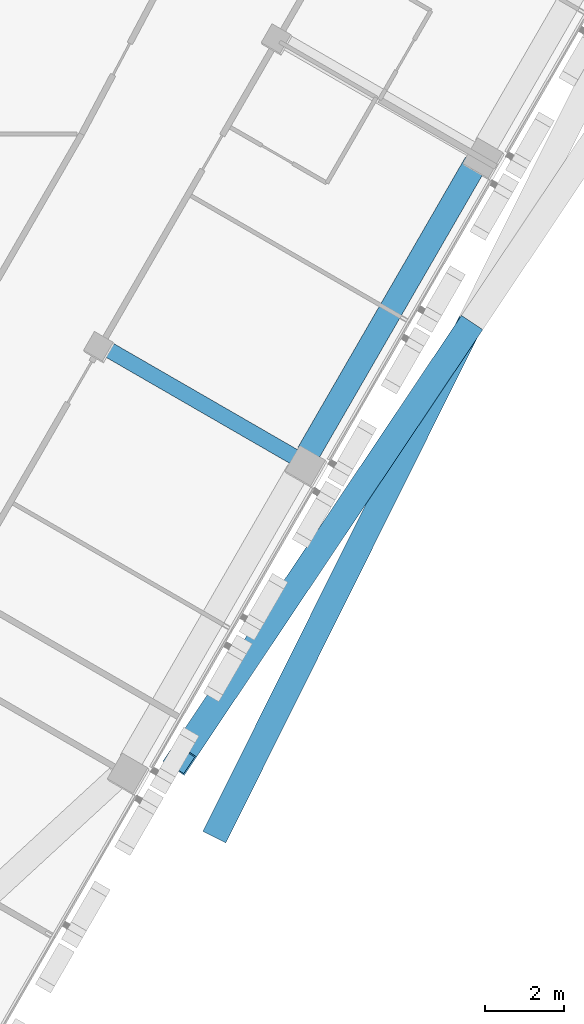
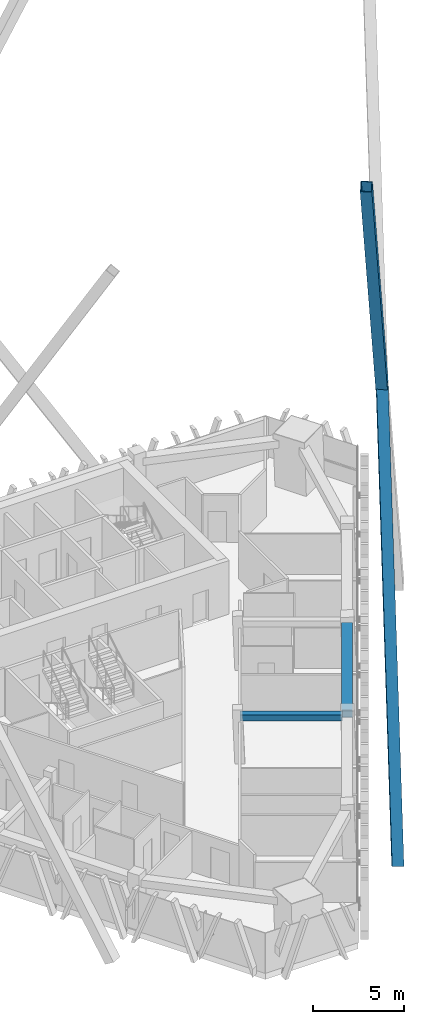
# One storey, part 8 of 22: 2 beams, 2 members.
"""IFC4 building model written with IfcOpenShell, lengths in metres."""

from ifc_helpers import new_model, si_unit, direction, frame, origin, origin_2d, place, context, subcontext, project, spatial, rectangle, hollow_rectangle, extrude, material, material_profile, profile_set, type_object, element, save


model = new_model("IFC4")

# Units and contexts
model_context = context("Model", 3, precision=1e-05, world=origin(), true_north=direction((0.0, 1.0)))
body_context = subcontext(model_context, "Body", "Model", "MODEL_VIEW")
ifc_project = project(units=[si_unit("LENGTHUNIT", "METRE"), si_unit("AREAUNIT", "SQUARE_METRE"), si_unit("VOLUMEUNIT", "CUBIC_METRE"), si_unit("PLANEANGLEUNIT", "RADIAN"), si_unit("MASSUNIT", "GRAM", prefix="KILO")], contexts=[model_context])

# Site, building, storey
site_placement = place(None, origin())
site = spatial("IfcSite", under=ifc_project, at=site_placement, CompositionType="ELEMENT")
building_placement = place(site_placement, origin())
building = spatial("IfcBuilding", under=site, at=building_placement, Name="Altiplano Prism Tower", CompositionType="ELEMENT")
storey_placement = place(building_placement, frame((0.0, 0.0, 219.39990234375)))
storey = spatial("IfcBuildingStorey", under=building, at=storey_placement, Name="L56", CompositionType="ELEMENT", Elevation=219.39990234375)

# Beam
ifc_material_1 = material(Name="Concrete C60/75", Category="concrete")
ifc_material_profile_1 = material_profile(ifc_material_1, rectangle(XDim=0.60009765625, YDim=0.5, at=origin_2d()), Name="Edge beam 600x500")
ifc_profile_set_1 = profile_set([ifc_material_profile_1], Name="Concrete C60/75")
beam_type_1 = type_object("IfcBeamType", Name="Edge beam 600x500", PredefinedType="SPANDREL", material=ifc_profile_set_1)
beam_1_placement = place(storey_placement, frame((96.3193359375, 77.591796875, 2.9501953125), z_axis=(0.49998963237, 0.866031389456, 0.0), x_axis=(-0.866031389456, 0.49998963237, 0.0)))
element("IfcBeam", 1, at=beam_1_placement, inside=storey, type_object=beam_type_1, Name="Edge beam P22-P23 L57", PredefinedType="SPANDREL", context=body_context, shape_type="SweptSolid", body=[
    extrude(rectangle(XDim=0.60009765625, YDim=0.5, at=origin_2d()), origin(), (0.0, 0.0, 1.0), 8.489990234375),
])

# Members
ifc_material_2 = material(Name="Steel S355", Category="steel")
ifc_material_profile_2 = material_profile(ifc_material_2, hollow_rectangle(XDim=0.64990234375, YDim=0.64990234375, WallThickness=0.034912109375, at=origin_2d()), Name="Mega brace Box 650x650x35")
ifc_profile_set_2 = profile_set([ifc_material_profile_2], Name="Steel S355")
member_type = type_object("IfcMemberType", Name="Mega brace Box 650x650x35", PredefinedType="BRACE", material=ifc_profile_set_2)
member_1_placement = place(storey_placement, frame((94.06689453125, 68.11328125, -0.75), z_axis=(0.235724222725, 0.473603112173, 0.848607201809), x_axis=(-0.895240289947, 0.445583688273, 0.0)))
element("IfcMember", 2, at=member_1_placement, inside=storey, type_object=member_type, Name="Mega brace 6.2.1", PredefinedType="BRACE", context=body_context, shape_type="SweptSolid", body=[
    extrude(hollow_rectangle(XDim=0.64990234375, YDim=0.64990234375, WallThickness=0.034912109375, at=origin_2d()), origin(), (0.0, 0.0, 1.0), 26.513916015625),
])
member_2_placement = place(storey_placement, frame((100.31689453125, 80.67041015625, 21.75), z_axis=(-0.278845609489, -0.416362243074, 0.865382925999), x_axis=(0.83087801477, -0.556454602436, 0.0)))
element("IfcMember", 3, at=member_2_placement, inside=storey, type_object=member_type, Name="Mega brace 6.2.4", PredefinedType="BRACE", context=body_context, shape_type="SweptSolid", body=[
    extrude(hollow_rectangle(XDim=0.64990234375, YDim=0.64990234375, WallThickness=0.034912109375, at=origin_2d()), origin(), (0.0, 0.0, 1.0), 26.0),
])

# Beam
ifc_material_profile_3 = material_profile(ifc_material_1, rectangle(XDim=0.39990234375, YDim=0.39990234375, at=origin_2d()), Name="Tie beam 400x400")
ifc_profile_set_3 = profile_set([ifc_material_profile_3], Name="Concrete C60/75")
beam_type_2 = type_object("IfcBeamType", Name="Tie beam 400x400", PredefinedType="BEAM", material=ifc_profile_set_3)
beam_2_placement = place(storey_placement, frame((91.086669921875, 80.318359375, 3.0), z_axis=(0.866034203951, -0.499984757355, 0.0), x_axis=(0.499984757355, 0.866034203951, 0.0)))
element("IfcBeam", 4, at=beam_2_placement, inside=storey, type_object=beam_type_2, Name="Tie beam I22 L57", PredefinedType="BEAM", context=body_context, shape_type="SweptSolid", body=[
    extrude(rectangle(XDim=0.39990234375, YDim=0.39990234375, at=origin_2d()), origin(), (0.0, 0.0, 1.0), 5.639892578125),
])

save(model, "model.ifc")
